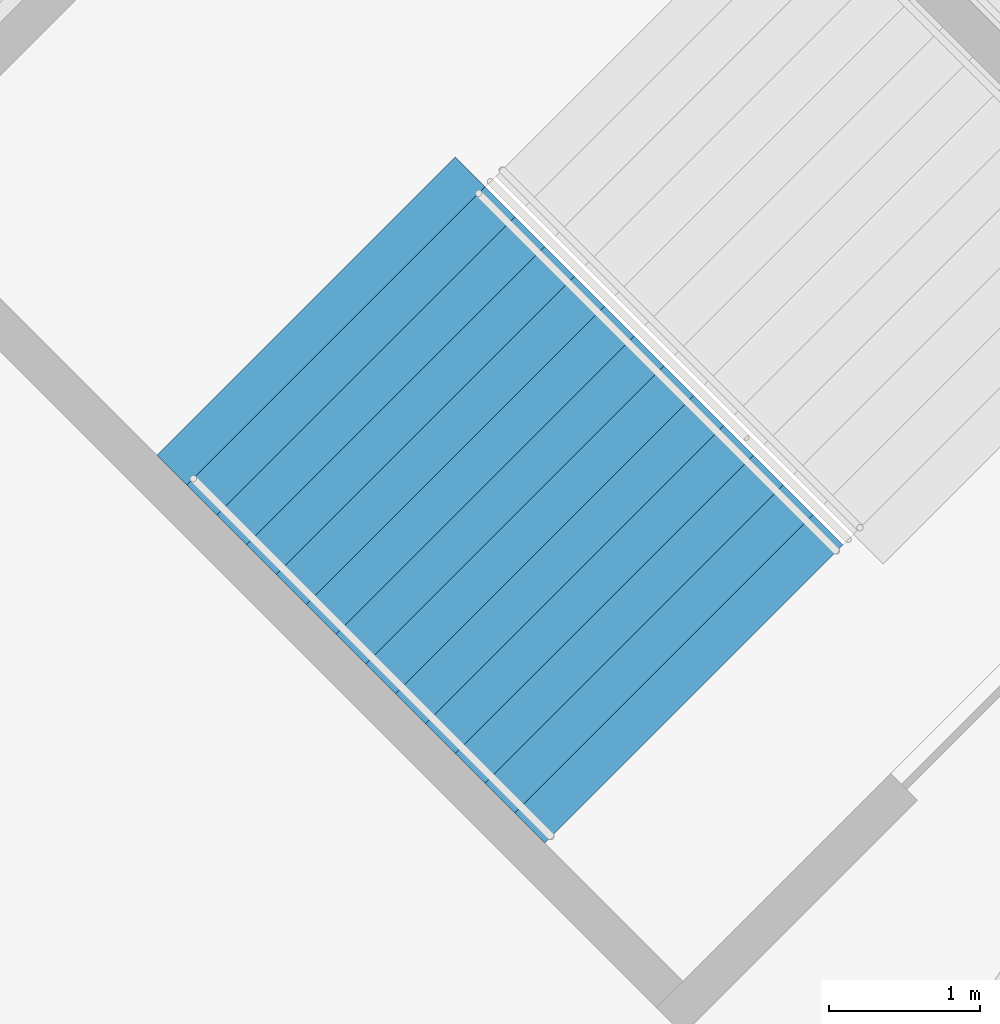
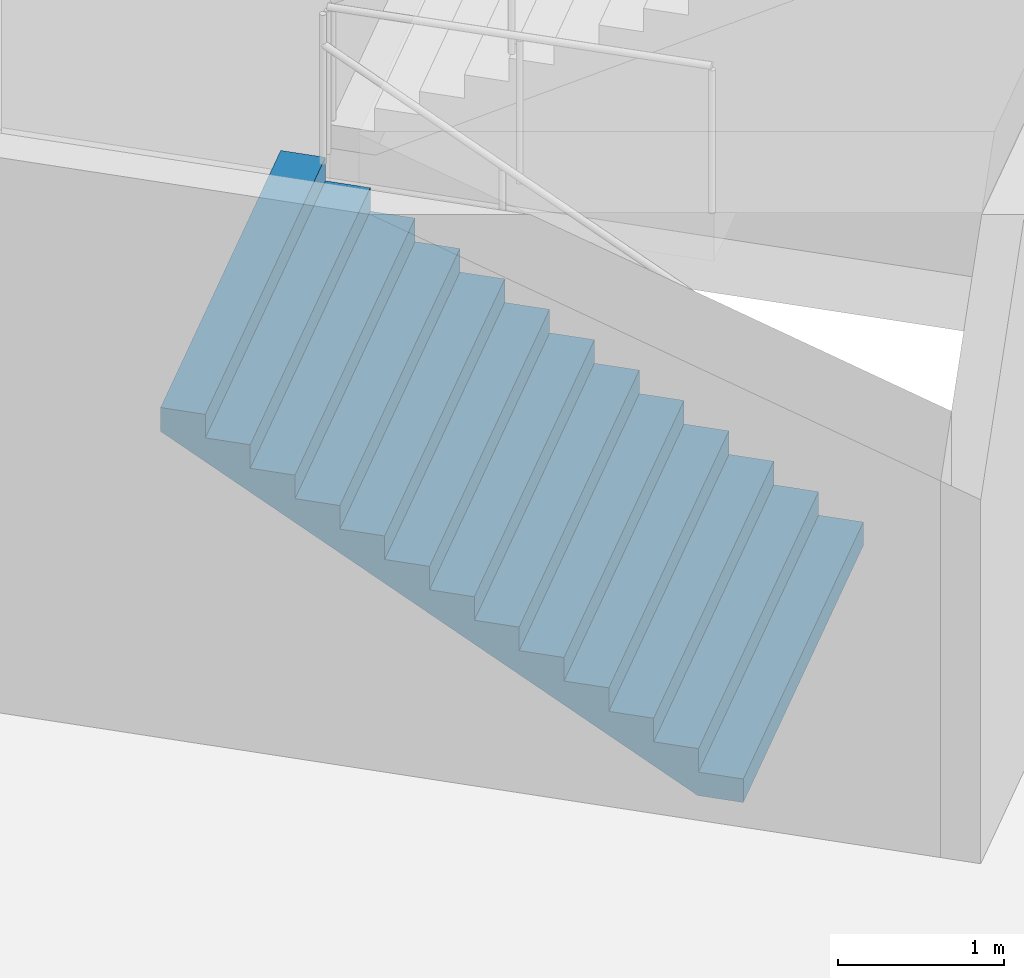
# One storey, part 155 of 199: 1 stair flight, 1 element without a shape of its own.
"""IFC4 building model written with IfcOpenShell, lengths in metres."""

import ifcopenshell
import ifcopenshell.guid

model = None  # the IFC model being written
_history = None  # IfcOwnerHistory: only IFC2X3 demands one
_inside = {}  # id of a spatial element -> (the spatial element, [elements in it])
_under = {}  # id of a project, library or spatial element -> (it, [spatial elements below it])
_declared = {}  # id of a project -> (the project, [libraries it declares])
_typed = {}  # id of a type object -> (the type object, [elements of that type])
_made_of = {}  # id of a material, layer set ... -> (it, [elements and type objects made of it])


def new_model(schema):
    """Start an empty IFC model of exactly this schema.

    Asked for "IFC4X3", IfcOpenShell would pick the latest addendum, in which some entities
    have other attributes; the version numbers below select the first issue.
    IFC2X3 requires an IfcOwnerHistory on every rooted entity: one is made here for all.
    """
    global model, _history
    if schema == "IFC4X3":
        model = ifcopenshell.file(schema_version=(4, 3, 0, 0))
    else:
        model = ifcopenshell.file(schema=schema)
    _inside.clear()
    _under.clear()
    _declared.clear()
    _typed.clear()
    _made_of.clear()
    _history = None
    if model.schema == "IFC2X3":
        org = make("IfcOrganization", Name="unknown")
        user = make(
            "IfcPersonAndOrganization",
            ThePerson=make("IfcPerson", FamilyName="unknown"),
            TheOrganization=org,
        )
        app = make(
            "IfcApplication",
            ApplicationDeveloper=org,
            Version="unknown",
            ApplicationFullName="unknown",
            ApplicationIdentifier="unknown",
        )
        _history = make(
            "IfcOwnerHistory",
            OwningUser=user,
            OwningApplication=app,
            ChangeAction="ADDED",
            CreationDate=0,
        )
    return model


def make(cls, **values):
    """One entity of the class cls with the attributes given. An attribute that is None is left unset."""
    return model.create_entity(
        cls, **{name: value for name, value in values.items() if value is not None}
    )


def rooted(cls, **values):
    """An entity with a GlobalId (a new one), such as an element, a storey or a relation."""
    return make(cls, GlobalId=ifcopenshell.guid.new(), OwnerHistory=_history, **values)


def si_unit(unit_type, name, prefix=None):
    """IfcSIUnit, for example si_unit("LENGTHUNIT", "METRE", prefix="MILLI")."""
    return make("IfcSIUnit", UnitType=unit_type, Prefix=prefix, Name=name)


def assignment(units):
    """IfcUnitAssignment: the units of a project."""
    return None if units is None else make("IfcUnitAssignment", Units=units)


def point(xyz):
    """IfcCartesianPoint."""
    return None if xyz is None else make("IfcCartesianPoint", Coordinates=xyz)


def direction(xyz):
    """IfcDirection."""
    return None if xyz is None else make("IfcDirection", DirectionRatios=xyz)


def frame(location, z_axis=None, x_axis=None):
    """IfcAxis2Placement3D, a coordinate frame: its origin and axes. An axis left out is left unset."""
    return make(
        "IfcAxis2Placement3D",
        Location=point(location),
        Axis=direction(z_axis),
        RefDirection=direction(x_axis),
    )


def origin():
    """The frame at (0, 0, 0) with its axes left unset."""
    return frame((0.0, 0.0, 0.0))


def place(relative_to, where):
    """IfcLocalPlacement: puts the frame where relative to a parent placement (None: the world)."""
    return make(
        "IfcLocalPlacement", PlacementRelTo=relative_to, RelativePlacement=where
    )


def context(
    kind, dimensions, precision=None, world=None, true_north=None, identifier=None
):
    """IfcGeometricRepresentationContext, for example the 3D "Model" context."""
    return make(
        "IfcGeometricRepresentationContext",
        ContextIdentifier=identifier,
        ContextType=kind,
        CoordinateSpaceDimension=dimensions,
        Precision=precision,
        WorldCoordinateSystem=world,
        TrueNorth=true_north,
    )


def subcontext(parent, identifier, kind, view, scale=None):
    """IfcGeometricRepresentationSubContext, for example "Body" below "Model"."""
    return make(
        "IfcGeometricRepresentationSubContext",
        ContextIdentifier=identifier,
        ContextType=kind,
        ParentContext=parent,
        TargetScale=scale,
        TargetView=view,
    )


def project(units=None, contexts=None):
    """IfcProject with its units and contexts."""
    return rooted(
        "IfcProject",
        Name="project",
        RepresentationContexts=contexts,
        UnitsInContext=assignment(units),
    )


def spatial(cls, under=None, at=None, **own):
    """A site, building, storey or space (cls), placed at a placement, below another one or the project."""
    s = rooted(cls, ObjectPlacement=at, **own)
    if under is not None:
        _under.setdefault(under.id(), (under, []))[1].append(s)
    return s


def faces_of(points, faces, orient=None, outer=None):
    """IfcFace entities. A face is a list of loops; a loop is a list of indices into points, from 0.

    orient and outer hold one flag for each loop. By default every Orientation is true, the
    first loop of a face is its IfcFaceOuterBound and the others are IfcFaceBound.
    """
    made = []
    for i, loops in enumerate(faces):
        bounds = []
        for j, loop in enumerate(loops):
            is_outer = j == 0 if outer is None else outer[i][j]
            bounds.append(
                make(
                    "IfcFaceOuterBound" if is_outer else "IfcFaceBound",
                    Bound=make("IfcPolyLoop", Polygon=[points[k] for k in loop]),
                    Orientation=True if orient is None else orient[i][j],
                )
            )
        made.append(make("IfcFace", Bounds=bounds))
    return made


def faceted_brep(points, faces, orient=None, outer=None, voids=None):
    """IfcFacetedBrep: a solid bounded by flat faces; with voids (closed shells), ...WithVoids."""
    shared = [point(p) for p in points]
    hull = make("IfcClosedShell", CfsFaces=faces_of(shared, faces, orient, outer))
    if voids is None:
        return make("IfcFacetedBrep", Outer=hull)
    return make(
        "IfcFacetedBrepWithVoids",
        Outer=hull,
        Voids=[
            make(cls, CfsFaces=faces_of(shared, fs, o, b)) for cls, fs, o, b in voids
        ],
    )


def shape(context_of_items, identifier, shape_type, items):
    """IfcShapeRepresentation: the items that make up one representation, for example the "Body"."""
    return make(
        "IfcShapeRepresentation",
        ContextOfItems=context_of_items,
        RepresentationIdentifier=identifier,
        RepresentationType=shape_type,
        Items=items,
    )


def material(Name=None, Category=None):
    """IfcMaterial."""
    return make("IfcMaterial", Name=Name, Category=Category)


def made_of(thing, what):
    """Note that an element or type object is made of a material, layer set ...; save() writes the relation."""
    if what is not None:
        _made_of.setdefault(what.id(), (what, []))[1].append(thing)
    return thing


def type_object(cls, material=None, **own):
    """A type object (cls), such as IfcWallType, which elements share."""
    return made_of(rooted(cls, **own), material)


def element(
    cls,
    number,
    at=None,
    inside=None,
    cuts=None,
    type_object=None,
    material=None,
    context=None,
    identifier="Body",
    shape_type=None,
    held_by="IfcProductDefinitionShape",
    body=None,
    shapes=None,
    **own,
):
    """One element of the class cls, such as IfcWall. Its Tag is "e" and its number.

    at: its placement. inside: the storey or other place that contains it. cuts: it is an
    opening in that element (IfcRelVoidsElement). A single representation is given by context,
    identifier, shape_type and body (its items); several are given by shapes. held_by: the class
    of the entity that holds the representations. save() writes the other relations.
    """
    e = rooted(cls, Tag="e%d" % number, ObjectPlacement=at, **own)
    if body is not None:
        shapes = [shape(context, identifier, shape_type, body)]
    if shapes is not None:
        e.Representation = make(held_by, Representations=shapes)
    if inside is not None:
        _inside.setdefault(inside.id(), (inside, []))[1].append(e)
    if cuts is not None:
        rooted(
            "IfcRelVoidsElement", RelatingBuildingElement=cuts, RelatedOpeningElement=e
        )
    if type_object is not None:
        _typed.setdefault(type_object.id(), (type_object, []))[1].append(e)
    return made_of(e, material)


def aggregate(whole, parts):
    """IfcRelAggregates: a whole, such as a stair, and the parts it consists of."""
    return rooted("IfcRelAggregates", RelatingObject=whole, RelatedObjects=parts)


def save(model, path):
    """Write the relations noted so far, then the file.

    IfcRelAggregates (storeys below a building ...), IfcRelContainedInSpatialStructure (elements
    in a storey), IfcRelDefinesByType, IfcRelAssociatesMaterial and IfcRelDeclares: one each for
    every whole, place, type object, material and project.
    """
    for whole, parts in _under.values():
        aggregate(whole, parts)
    for where, things in _inside.values():
        rooted(
            "IfcRelContainedInSpatialStructure",
            RelatedElements=things,
            RelatingStructure=where,
        )
    for kind, things in _typed.values():
        rooted("IfcRelDefinesByType", RelatedObjects=things, RelatingType=kind)
    for what, things in _made_of.values():
        rooted("IfcRelAssociatesMaterial", RelatedObjects=things, RelatingMaterial=what)
    for by, libraries in _declared.values():
        rooted("IfcRelDeclares", RelatingContext=by, RelatedDefinitions=libraries)
    model.write(path)


model = new_model("IFC4")

# Units and contexts
model_context = context("Model", 3, precision=1e-05, world=origin(), true_north=direction((0.0, 1.0)))
body_context = subcontext(model_context, "Body", "Model", "MODEL_VIEW")
ifc_project = project(units=[si_unit("LENGTHUNIT", "METRE"), si_unit("AREAUNIT", "SQUARE_METRE"), si_unit("VOLUMEUNIT", "CUBIC_METRE"), si_unit("PLANEANGLEUNIT", "RADIAN"), si_unit("MASSUNIT", "GRAM", prefix="KILO")], contexts=[model_context])

# Site, building, storey
site_placement = place(None, origin())
site = spatial("IfcSite", under=ifc_project, at=site_placement, CompositionType="ELEMENT")
building_placement = place(site_placement, origin())
building = spatial("IfcBuilding", under=site, at=building_placement, Name="Ogive Plaza Stadium", CompositionType="ELEMENT")
storey_placement = place(building_placement, frame((0.0, 0.0, 9.0)))
storey = spatial("IfcBuildingStorey", under=building, at=storey_placement, Name="L02", CompositionType="ELEMENT", Elevation=9.0)

# Stair, stair flight
ifc_material_1 = material(Name="Concrete C40/50", Category="concrete")
stair_type = type_object("IfcStairType", Name="Exit stair", PredefinedType="STRAIGHT_RUN_STAIR", material=ifc_material_1)
stair_placement = place(storey_placement, origin())
stair = element("IfcStair", 1, at=stair_placement, inside=storey, type_object=stair_type, Name="Exit stair ST30B L02 to L03", PredefinedType="STRAIGHT_RUN_STAIR")
ifc_material_2 = material(Name="Concrete C40/50", Category="concrete")
stair_flight_type = type_object("IfcStairFlightType", Name="Exit stair flight", PredefinedType="STRAIGHT", material=ifc_material_2)
stair_flight_placement = place(storey_placement, frame((-67.074951171875, 79.317138671875, 0.0), z_axis=(0.0, 0.0, 1.0), x_axis=(-0.707106781187, 0.707106781187, 0.0)))
stair_flight = element("IfcStairFlight", 2, at=stair_flight_placement, type_object=stair_flight_type, Name="ST30B flight 1", NumberOfRisers=13, NumberOfTreads=12, PredefinedType="STRAIGHT", RiserHeight=0.173076923, TreadLength=0.28, context=body_context, shape_type="Brep", body=[
    faceted_brep([(0.28515625, -1.39990234375, 0.0), (3.639892578125, -1.39990234375, 2.07373046875), (3.639892578125, -1.39990234375, 2.25), (3.360107421875, -1.39990234375, 2.25), (3.360107421875, -1.39990234375, 2.076904296875), (3.080078125, -1.39990234375, 2.076904296875), (3.080078125, -1.39990234375, 1.90380859375), (2.800048828125, -1.39990234375, 1.90380859375), (2.800048828125, -1.39990234375, 1.730712890625), (2.52001953125, -1.39990234375, 1.730712890625), (2.52001953125, -1.39990234375, 1.5576171875), (2.239990234375, -1.39990234375, 1.5576171875), (2.239990234375, -1.39990234375, 1.384521484375), (1.9599609375, -1.39990234375, 1.384521484375), (1.9599609375, -1.39990234375, 1.21142578125), (1.679931640625, -1.39990234375, 1.21142578125), (1.679931640625, -1.39990234375, 1.03857421875), (1.39990234375, -1.39990234375, 1.03857421875), (1.39990234375, -1.39990234375, 0.865478515625), (1.1201171875, -1.39990234375, 0.865478515625), (1.1201171875, -1.39990234375, 0.6923828125), (0.840087890625, -1.39990234375, 0.6923828125), (0.840087890625, -1.39990234375, 0.519287109375), (0.56005859375, -1.39990234375, 0.519287109375), (0.56005859375, -1.39990234375, 0.34619140625), (0.280029296875, -1.39990234375, 0.34619140625), (0.280029296875, -1.39990234375, 0.173095703125), (0.0, -1.39990234375, 0.173095703125), (0.0, -1.39990234375, 0.0), (0.0, 1.39990234375, 0.0), (0.0, 1.39990234375, 0.173095703125), (0.280029296875, 1.39990234375, 0.173095703125), (0.280029296875, 1.39990234375, 0.34619140625), (0.56005859375, 1.39990234375, 0.34619140625), (0.56005859375, 1.39990234375, 0.519287109375), (0.840087890625, 1.39990234375, 0.519287109375), (0.840087890625, 1.39990234375, 0.6923828125), (1.1201171875, 1.39990234375, 0.6923828125), (1.1201171875, 1.39990234375, 0.865478515625), (1.39990234375, 1.39990234375, 0.865478515625), (1.39990234375, 1.39990234375, 1.03857421875), (1.679931640625, 1.39990234375, 1.03857421875), (1.679931640625, 1.39990234375, 1.21142578125), (1.9599609375, 1.39990234375, 1.21142578125), (1.9599609375, 1.39990234375, 1.384521484375), (2.239990234375, 1.39990234375, 1.384521484375), (2.239990234375, 1.39990234375, 1.5576171875), (2.52001953125, 1.39990234375, 1.5576171875), (2.52001953125, 1.39990234375, 1.730712890625), (2.800048828125, 1.39990234375, 1.730712890625), (2.800048828125, 1.39990234375, 1.90380859375), (3.080078125, 1.39990234375, 1.90380859375), (3.080078125, 1.39990234375, 2.076904296875), (3.360107421875, 1.39990234375, 2.076904296875), (3.360107421875, 1.39990234375, 2.25), (3.639892578125, 1.39990234375, 2.25), (3.639892578125, 1.39990234375, 2.07373046875), (0.28515625, 1.39990234375, 0.0), (0.28515625, -1.0888671875, 0.0), (3.639892578125, -1.0888671875, 2.07373046875), (0.28515625, -0.77783203125, 0.0), (3.639892578125, -0.77783203125, 2.07373046875), (0.28515625, -0.466796875, 0.0), (3.639892578125, -0.466796875, 2.07373046875), (0.28515625, -0.155517578125, 0.0), (3.639892578125, -0.155517578125, 2.07373046875), (0.28515625, 0.155517578125, 0.0), (3.639892578125, 0.155517578125, 2.07373046875), (0.28515625, 0.466796875, 0.0), (3.639892578125, 0.466796875, 2.07373046875), (0.28515625, 0.77783203125, 0.0), (3.639892578125, 0.77783203125, 2.07373046875), (0.28515625, 1.0888671875, 0.0), (3.639892578125, 1.0888671875, 2.07373046875), (3.639892578125, -1.0888671875, 2.25), (3.639892578125, -0.77783203125, 2.25), (3.639892578125, -0.466796875, 2.25), (3.639892578125, -0.155517578125, 2.25), (3.639892578125, 0.155517578125, 2.25), (3.639892578125, 0.466796875, 2.25), (3.639892578125, 0.77783203125, 2.25), (3.639892578125, 1.0888671875, 2.25), (3.360107421875, -1.0888671875, 2.25), (3.360107421875, -0.77783203125, 2.25), (3.360107421875, -0.466796875, 2.25), (3.360107421875, -0.155517578125, 2.25), (3.360107421875, 0.155517578125, 2.25), (3.360107421875, 0.466796875, 2.25), (3.360107421875, 0.77783203125, 2.25), (3.360107421875, 1.0888671875, 2.25), (3.360107421875, -1.0888671875, 2.076904296875), (3.360107421875, -0.77783203125, 2.076904296875), (3.360107421875, -0.466796875, 2.076904296875), (3.360107421875, -0.155517578125, 2.076904296875), (3.360107421875, 0.155517578125, 2.076904296875), (3.360107421875, 0.466796875, 2.076904296875), (3.360107421875, 0.77783203125, 2.076904296875), (3.360107421875, 1.0888671875, 2.076904296875), (3.080078125, -1.0888671875, 2.076904296875), (3.080078125, -0.77783203125, 2.076904296875), (3.080078125, -0.466796875, 2.076904296875), (3.080078125, -0.155517578125, 2.076904296875), (3.080078125, 0.155517578125, 2.076904296875), (3.080078125, 0.466796875, 2.076904296875), (3.080078125, 0.77783203125, 2.076904296875), (3.080078125, 1.0888671875, 2.076904296875), (3.080078125, -1.0888671875, 1.90380859375), (3.080078125, -0.77783203125, 1.90380859375), (3.080078125, -0.466796875, 1.90380859375), (3.080078125, -0.155517578125, 1.90380859375), (3.080078125, 0.155517578125, 1.90380859375), (3.080078125, 0.466796875, 1.90380859375), (3.080078125, 0.77783203125, 1.90380859375), (3.080078125, 1.0888671875, 1.90380859375), (2.800048828125, -1.0888671875, 1.90380859375), (2.800048828125, -0.77783203125, 1.90380859375), (2.800048828125, -0.466796875, 1.90380859375), (2.800048828125, -0.155517578125, 1.90380859375), (2.800048828125, 0.155517578125, 1.90380859375), (2.800048828125, 0.466796875, 1.90380859375), (2.800048828125, 0.77783203125, 1.90380859375), (2.800048828125, 1.0888671875, 1.90380859375), (2.800048828125, -1.0888671875, 1.730712890625), (2.800048828125, -0.77783203125, 1.730712890625), (2.800048828125, -0.466796875, 1.730712890625), (2.800048828125, -0.155517578125, 1.730712890625), (2.800048828125, 0.155517578125, 1.730712890625), (2.800048828125, 0.466796875, 1.730712890625), (2.800048828125, 0.77783203125, 1.730712890625), (2.800048828125, 1.0888671875, 1.730712890625), (2.52001953125, -1.0888671875, 1.730712890625), (2.52001953125, -0.77783203125, 1.730712890625), (2.52001953125, -0.466796875, 1.730712890625), (2.52001953125, -0.155517578125, 1.730712890625), (2.52001953125, 0.155517578125, 1.730712890625), (2.52001953125, 0.466796875, 1.730712890625), (2.52001953125, 0.77783203125, 1.730712890625), (2.52001953125, 1.0888671875, 1.730712890625), (2.52001953125, -1.0888671875, 1.5576171875), (2.52001953125, -0.77783203125, 1.5576171875), (2.52001953125, -0.466796875, 1.5576171875), (2.52001953125, -0.155517578125, 1.5576171875), (2.52001953125, 0.155517578125, 1.5576171875), (2.52001953125, 0.466796875, 1.5576171875), (2.52001953125, 0.77783203125, 1.5576171875), (2.52001953125, 1.0888671875, 1.5576171875), (2.239990234375, -1.0888671875, 1.5576171875), (2.239990234375, -0.77783203125, 1.5576171875), (2.239990234375, -0.466796875, 1.5576171875), (2.239990234375, -0.155517578125, 1.5576171875), (2.239990234375, 0.155517578125, 1.5576171875), (2.239990234375, 0.466796875, 1.5576171875), (2.239990234375, 0.77783203125, 1.5576171875), (2.239990234375, 1.0888671875, 1.5576171875), (2.239990234375, -1.0888671875, 1.384521484375), (2.239990234375, -0.77783203125, 1.384521484375), (2.239990234375, -0.466796875, 1.384521484375), (2.239990234375, -0.155517578125, 1.384521484375), (2.239990234375, 0.155517578125, 1.384521484375), (2.239990234375, 0.466796875, 1.384521484375), (2.239990234375, 0.77783203125, 1.384521484375), (2.239990234375, 1.0888671875, 1.384521484375), (1.9599609375, -1.0888671875, 1.384521484375), (1.9599609375, -0.77783203125, 1.384521484375), (1.9599609375, -0.466796875, 1.384521484375), (1.9599609375, -0.155517578125, 1.384521484375), (1.9599609375, 0.155517578125, 1.384521484375), (1.9599609375, 0.466796875, 1.384521484375), (1.9599609375, 0.77783203125, 1.384521484375), (1.9599609375, 1.0888671875, 1.384521484375), (1.9599609375, -1.0888671875, 1.21142578125), (1.9599609375, -0.77783203125, 1.21142578125), (1.9599609375, -0.466796875, 1.21142578125), (1.9599609375, -0.155517578125, 1.21142578125), (1.9599609375, 0.155517578125, 1.21142578125), (1.9599609375, 0.466796875, 1.21142578125), (1.9599609375, 0.77783203125, 1.21142578125), (1.9599609375, 1.0888671875, 1.21142578125), (1.679931640625, -1.0888671875, 1.21142578125), (1.679931640625, -0.77783203125, 1.21142578125), (1.679931640625, -0.466796875, 1.21142578125), (1.679931640625, -0.155517578125, 1.21142578125), (1.679931640625, 0.155517578125, 1.21142578125), (1.679931640625, 0.466796875, 1.21142578125), (1.679931640625, 0.77783203125, 1.21142578125), (1.679931640625, 1.0888671875, 1.21142578125), (1.679931640625, -1.0888671875, 1.03857421875), (1.679931640625, -0.77783203125, 1.03857421875), (1.679931640625, -0.466796875, 1.03857421875), (1.679931640625, -0.155517578125, 1.03857421875), (1.679931640625, 0.155517578125, 1.03857421875), (1.679931640625, 0.466796875, 1.03857421875), (1.679931640625, 0.77783203125, 1.03857421875), (1.679931640625, 1.0888671875, 1.03857421875), (1.39990234375, -1.0888671875, 1.03857421875), (1.39990234375, -0.77783203125, 1.03857421875), (1.39990234375, -0.466796875, 1.03857421875), (1.39990234375, -0.155517578125, 1.03857421875), (1.39990234375, 0.155517578125, 1.03857421875), (1.39990234375, 0.466796875, 1.03857421875), (1.39990234375, 0.77783203125, 1.03857421875), (1.39990234375, 1.0888671875, 1.03857421875), (1.39990234375, -1.0888671875, 0.865478515625), (1.39990234375, -0.77783203125, 0.865478515625), (1.39990234375, -0.466796875, 0.865478515625), (1.39990234375, -0.155517578125, 0.865478515625), (1.39990234375, 0.155517578125, 0.865478515625), (1.39990234375, 0.466796875, 0.865478515625), (1.39990234375, 0.77783203125, 0.865478515625), (1.39990234375, 1.0888671875, 0.865478515625), (1.1201171875, -1.0888671875, 0.865478515625), (1.1201171875, -0.77783203125, 0.865478515625), (1.1201171875, -0.466796875, 0.865478515625), (1.1201171875, -0.155517578125, 0.865478515625), (1.1201171875, 0.155517578125, 0.865478515625), (1.1201171875, 0.466796875, 0.865478515625), (1.1201171875, 0.77783203125, 0.865478515625), (1.1201171875, 1.0888671875, 0.865478515625), (1.1201171875, -1.0888671875, 0.6923828125), (1.1201171875, -0.77783203125, 0.6923828125), (1.1201171875, -0.466796875, 0.6923828125), (1.1201171875, -0.155517578125, 0.6923828125), (1.1201171875, 0.155517578125, 0.6923828125), (1.1201171875, 0.466796875, 0.6923828125), (1.1201171875, 0.77783203125, 0.6923828125), (1.1201171875, 1.0888671875, 0.6923828125), (0.840087890625, -1.0888671875, 0.6923828125), (0.840087890625, -0.77783203125, 0.6923828125), (0.840087890625, -0.466796875, 0.6923828125), (0.840087890625, -0.155517578125, 0.6923828125), (0.840087890625, 0.155517578125, 0.6923828125), (0.840087890625, 0.466796875, 0.6923828125), (0.840087890625, 0.77783203125, 0.6923828125), (0.840087890625, 1.0888671875, 0.6923828125), (0.840087890625, -1.0888671875, 0.519287109375), (0.840087890625, -0.77783203125, 0.519287109375), (0.840087890625, -0.466796875, 0.519287109375), (0.840087890625, -0.155517578125, 0.519287109375), (0.840087890625, 0.155517578125, 0.519287109375), (0.840087890625, 0.466796875, 0.519287109375), (0.840087890625, 0.77783203125, 0.519287109375), (0.840087890625, 1.0888671875, 0.519287109375), (0.56005859375, -1.0888671875, 0.519287109375), (0.56005859375, -0.77783203125, 0.519287109375), (0.56005859375, -0.466796875, 0.519287109375), (0.56005859375, -0.155517578125, 0.519287109375), (0.56005859375, 0.155517578125, 0.519287109375), (0.56005859375, 0.466796875, 0.519287109375), (0.56005859375, 0.77783203125, 0.519287109375), (0.56005859375, 1.0888671875, 0.519287109375), (0.56005859375, -1.0888671875, 0.34619140625), (0.56005859375, -0.77783203125, 0.34619140625), (0.56005859375, -0.466796875, 0.34619140625), (0.56005859375, -0.155517578125, 0.34619140625), (0.56005859375, 0.155517578125, 0.34619140625), (0.56005859375, 0.466796875, 0.34619140625), (0.56005859375, 0.77783203125, 0.34619140625), (0.56005859375, 1.0888671875, 0.34619140625), (0.280029296875, -1.0888671875, 0.34619140625), (0.280029296875, -0.77783203125, 0.34619140625), (0.280029296875, -0.466796875, 0.34619140625), (0.280029296875, -0.155517578125, 0.34619140625), (0.280029296875, 0.155517578125, 0.34619140625), (0.280029296875, 0.466796875, 0.34619140625), (0.280029296875, 0.77783203125, 0.34619140625), (0.280029296875, 1.0888671875, 0.34619140625), (0.280029296875, -1.0888671875, 0.173095703125), (0.280029296875, -0.77783203125, 0.173095703125), (0.280029296875, -0.466796875, 0.173095703125), (0.280029296875, -0.155517578125, 0.173095703125), (0.280029296875, 0.155517578125, 0.173095703125), (0.280029296875, 0.466796875, 0.173095703125), (0.280029296875, 0.77783203125, 0.173095703125), (0.280029296875, 1.0888671875, 0.173095703125), (0.0, -1.0888671875, 0.173095703125), (0.0, -0.77783203125, 0.173095703125), (0.0, -0.466796875, 0.173095703125), (0.0, -0.155517578125, 0.173095703125), (0.0, 0.155517578125, 0.173095703125), (0.0, 0.466796875, 0.173095703125), (0.0, 0.77783203125, 0.173095703125), (0.0, 1.0888671875, 0.173095703125), (0.0, -1.0888671875, 0.0), (0.0, -0.77783203125, 0.0), (0.0, -0.466796875, 0.0), (0.0, -0.155517578125, 0.0), (0.0, 0.155517578125, 0.0), (0.0, 0.466796875, 0.0), (0.0, 0.77783203125, 0.0), (0.0, 1.0888671875, 0.0)], [[[0, 1, 2, 3, 4, 5, 6, 7, 8, 9, 10, 11, 12, 13, 14, 15, 16, 17, 18, 19, 20, 21, 22, 23, 24, 25, 26, 27, 28]], [[29, 30, 31, 32, 33, 34, 35, 36, 37, 38, 39, 40, 41, 42, 43, 44, 45, 46, 47, 48, 49, 50, 51, 52, 53, 54, 55, 56, 57]], [[0, 58, 59, 1]], [[58, 60, 61, 59]], [[60, 62, 63, 61]], [[62, 64, 65, 63]], [[64, 66, 67, 65]], [[66, 68, 69, 67]], [[68, 70, 71, 69]], [[70, 72, 73, 71]], [[72, 57, 56, 73]], [[1, 59, 74, 2]], [[59, 61, 75, 74]], [[61, 63, 76, 75]], [[63, 65, 77, 76]], [[65, 67, 78, 77]], [[67, 69, 79, 78]], [[69, 71, 80, 79]], [[71, 73, 81, 80]], [[73, 56, 55, 81]], [[2, 74, 82, 3]], [[74, 75, 83, 82]], [[75, 76, 84, 83]], [[76, 77, 85, 84]], [[77, 78, 86, 85]], [[78, 79, 87, 86]], [[79, 80, 88, 87]], [[80, 81, 89, 88]], [[81, 55, 54, 89]], [[3, 82, 90, 4]], [[82, 83, 91, 90]], [[83, 84, 92, 91]], [[84, 85, 93, 92]], [[85, 86, 94, 93]], [[86, 87, 95, 94]], [[87, 88, 96, 95]], [[88, 89, 97, 96]], [[89, 54, 53, 97]], [[4, 90, 98, 5]], [[90, 91, 99, 98]], [[91, 92, 100, 99]], [[92, 93, 101, 100]], [[93, 94, 102, 101]], [[94, 95, 103, 102]], [[95, 96, 104, 103]], [[96, 97, 105, 104]], [[97, 53, 52, 105]], [[5, 98, 106, 6]], [[98, 99, 107, 106]], [[99, 100, 108, 107]], [[100, 101, 109, 108]], [[101, 102, 110, 109]], [[102, 103, 111, 110]], [[103, 104, 112, 111]], [[104, 105, 113, 112]], [[105, 52, 51, 113]], [[6, 106, 114, 7]], [[106, 107, 115, 114]], [[107, 108, 116, 115]], [[108, 109, 117, 116]], [[109, 110, 118, 117]], [[110, 111, 119, 118]], [[111, 112, 120, 119]], [[112, 113, 121, 120]], [[113, 51, 50, 121]], [[7, 114, 122, 8]], [[114, 115, 123, 122]], [[115, 116, 124, 123]], [[116, 117, 125, 124]], [[117, 118, 126, 125]], [[118, 119, 127, 126]], [[119, 120, 128, 127]], [[120, 121, 129, 128]], [[121, 50, 49, 129]], [[8, 122, 130, 9]], [[122, 123, 131, 130]], [[123, 124, 132, 131]], [[124, 125, 133, 132]], [[125, 126, 134, 133]], [[126, 127, 135, 134]], [[127, 128, 136, 135]], [[128, 129, 137, 136]], [[129, 49, 48, 137]], [[9, 130, 138, 10]], [[130, 131, 139, 138]], [[131, 132, 140, 139]], [[132, 133, 141, 140]], [[133, 134, 142, 141]], [[134, 135, 143, 142]], [[135, 136, 144, 143]], [[136, 137, 145, 144]], [[137, 48, 47, 145]], [[10, 138, 146, 11]], [[138, 139, 147, 146]], [[139, 140, 148, 147]], [[140, 141, 149, 148]], [[141, 142, 150, 149]], [[142, 143, 151, 150]], [[143, 144, 152, 151]], [[144, 145, 153, 152]], [[145, 47, 46, 153]], [[11, 146, 154, 12]], [[146, 147, 155, 154]], [[147, 148, 156, 155]], [[148, 149, 157, 156]], [[149, 150, 158, 157]], [[150, 151, 159, 158]], [[151, 152, 160, 159]], [[152, 153, 161, 160]], [[153, 46, 45, 161]], [[12, 154, 162, 13]], [[154, 155, 163, 162]], [[155, 156, 164, 163]], [[156, 157, 165, 164]], [[157, 158, 166, 165]], [[158, 159, 167, 166]], [[159, 160, 168, 167]], [[160, 161, 169, 168]], [[161, 45, 44, 169]], [[13, 162, 170, 14]], [[162, 163, 171, 170]], [[163, 164, 172, 171]], [[164, 165, 173, 172]], [[165, 166, 174, 173]], [[166, 167, 175, 174]], [[167, 168, 176, 175]], [[168, 169, 177, 176]], [[169, 44, 43, 177]], [[14, 170, 178, 15]], [[170, 171, 179, 178]], [[171, 172, 180, 179]], [[172, 173, 181, 180]], [[173, 174, 182, 181]], [[174, 175, 183, 182]], [[175, 176, 184, 183]], [[176, 177, 185, 184]], [[177, 43, 42, 185]], [[15, 178, 186, 16]], [[178, 179, 187, 186]], [[179, 180, 188, 187]], [[180, 181, 189, 188]], [[181, 182, 190, 189]], [[182, 183, 191, 190]], [[183, 184, 192, 191]], [[184, 185, 193, 192]], [[185, 42, 41, 193]], [[16, 186, 194, 17]], [[186, 187, 195, 194]], [[187, 188, 196, 195]], [[188, 189, 197, 196]], [[189, 190, 198, 197]], [[190, 191, 199, 198]], [[191, 192, 200, 199]], [[192, 193, 201, 200]], [[193, 41, 40, 201]], [[17, 194, 202, 18]], [[194, 195, 203, 202]], [[195, 196, 204, 203]], [[196, 197, 205, 204]], [[197, 198, 206, 205]], [[198, 199, 207, 206]], [[199, 200, 208, 207]], [[200, 201, 209, 208]], [[201, 40, 39, 209]], [[18, 202, 210, 19]], [[202, 203, 211, 210]], [[203, 204, 212, 211]], [[204, 205, 213, 212]], [[205, 206, 214, 213]], [[206, 207, 215, 214]], [[207, 208, 216, 215]], [[208, 209, 217, 216]], [[209, 39, 38, 217]], [[19, 210, 218, 20]], [[210, 211, 219, 218]], [[211, 212, 220, 219]], [[212, 213, 221, 220]], [[213, 214, 222, 221]], [[214, 215, 223, 222]], [[215, 216, 224, 223]], [[216, 217, 225, 224]], [[217, 38, 37, 225]], [[20, 218, 226, 21]], [[218, 219, 227, 226]], [[219, 220, 228, 227]], [[220, 221, 229, 228]], [[221, 222, 230, 229]], [[222, 223, 231, 230]], [[223, 224, 232, 231]], [[224, 225, 233, 232]], [[225, 37, 36, 233]], [[21, 226, 234, 22]], [[226, 227, 235, 234]], [[227, 228, 236, 235]], [[228, 229, 237, 236]], [[229, 230, 238, 237]], [[230, 231, 239, 238]], [[231, 232, 240, 239]], [[232, 233, 241, 240]], [[233, 36, 35, 241]], [[22, 234, 242, 23]], [[234, 235, 243, 242]], [[235, 236, 244, 243]], [[236, 237, 245, 244]], [[237, 238, 246, 245]], [[238, 239, 247, 246]], [[239, 240, 248, 247]], [[240, 241, 249, 248]], [[241, 35, 34, 249]], [[23, 242, 250, 24]], [[242, 243, 251, 250]], [[243, 244, 252, 251]], [[244, 245, 253, 252]], [[245, 246, 254, 253]], [[246, 247, 255, 254]], [[247, 248, 256, 255]], [[248, 249, 257, 256]], [[249, 34, 33, 257]], [[24, 250, 258, 25]], [[250, 251, 259, 258]], [[251, 252, 260, 259]], [[252, 253, 261, 260]], [[253, 254, 262, 261]], [[254, 255, 263, 262]], [[255, 256, 264, 263]], [[256, 257, 265, 264]], [[257, 33, 32, 265]], [[25, 258, 266, 26]], [[258, 259, 267, 266]], [[259, 260, 268, 267]], [[260, 261, 269, 268]], [[261, 262, 270, 269]], [[262, 263, 271, 270]], [[263, 264, 272, 271]], [[264, 265, 273, 272]], [[265, 32, 31, 273]], [[26, 266, 274, 27]], [[266, 267, 275, 274]], [[267, 268, 276, 275]], [[268, 269, 277, 276]], [[269, 270, 278, 277]], [[270, 271, 279, 278]], [[271, 272, 280, 279]], [[272, 273, 281, 280]], [[273, 31, 30, 281]], [[27, 274, 282, 28]], [[274, 275, 283, 282]], [[275, 276, 284, 283]], [[276, 277, 285, 284]], [[277, 278, 286, 285]], [[278, 279, 287, 286]], [[279, 280, 288, 287]], [[280, 281, 289, 288]], [[281, 30, 29, 289]], [[28, 282, 58, 0]], [[282, 283, 60, 58]], [[283, 284, 62, 60]], [[284, 285, 64, 62]], [[285, 286, 66, 64]], [[286, 287, 68, 66]], [[287, 288, 70, 68]], [[288, 289, 72, 70]], [[289, 29, 57, 72]]]),
])
aggregate(stair, [stair_flight])

save(model, "model.ifc")
